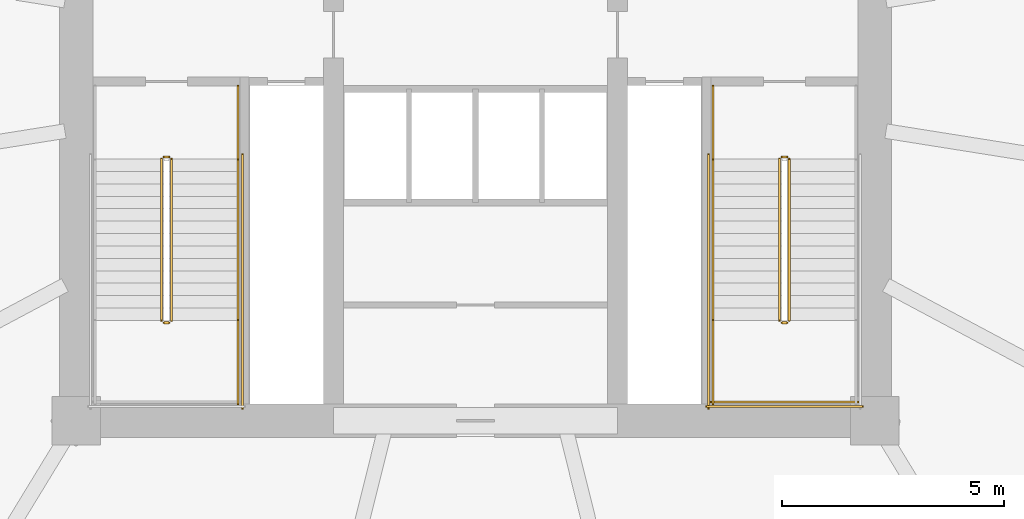
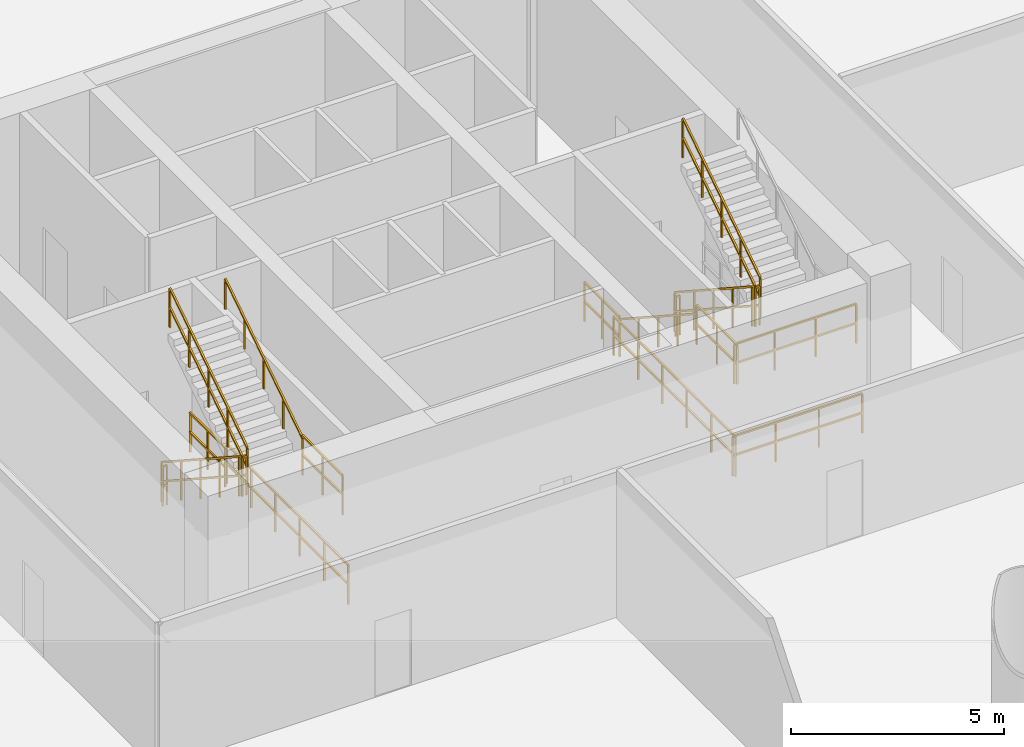
# One storey, part 29 of 31: 18 railings.
"""IFC4 building model written with IfcOpenShell, lengths in metres."""

from ifc_helpers import new_model, si_unit, direction, frame, origin, origin_2d, place, context, subcontext, project, spatial, rectangle, extrude, material, type_object, element, save


model = new_model("IFC4")

# Units and contexts
model_context = context("Model", 3, precision=1e-05, world=origin(), true_north=direction((-0.2419218956, 0.970295726276)))
body_context = subcontext(model_context, "Body", "Model", "MODEL_VIEW")
ifc_project = project(units=[si_unit("LENGTHUNIT", "METRE"), si_unit("AREAUNIT", "SQUARE_METRE"), si_unit("VOLUMEUNIT", "CUBIC_METRE"), si_unit("PLANEANGLEUNIT", "RADIAN"), si_unit("MASSUNIT", "GRAM", prefix="KILO")], contexts=[model_context])

# Site, building, storey
site_placement = place(None, origin())
site = spatial("IfcSite", under=ifc_project, at=site_placement, CompositionType="ELEMENT")
building_placement = place(site_placement, origin())
building = spatial("IfcBuilding", under=site, at=building_placement, Name="Cobrevalo Terracotta Tower", CompositionType="ELEMENT")
storey_placement = place(building_placement, frame((0.0, 0.0, 18.89990234375)))
storey = spatial("IfcBuildingStorey", under=building, at=storey_placement, Name="L04", CompositionType="ELEMENT", Elevation=18.89990234375)

# Railings
ifc_material_1 = material(Name="Brushed stainless steel", Category="steel")
railing_type_1 = type_object("IfcRailingType", Name="Stainless Steel Stair Handrail 900", PredefinedType="HANDRAIL", material=ifc_material_1)
railing_1_placement = place(storey_placement, frame((32.64501953125, 21.06005859375, 2.732177734375)))
element("IfcRailing", 1, at=railing_1_placement, inside=storey, type_object=railing_type_1, Name="L04 ST-1 stair handrail 2", PredefinedType="HANDRAIL", context=body_context, shape_type="SweptSolid", body=[
    extrude(rectangle(XDim=0.048095703125, YDim=0.048095703125, at=origin_2d()), frame((0.0, 0.0, 0.8759765625), z_axis=(0.0, 0.838234174257, 0.545310433706), x_axis=(-1.0, 0.0, 0.0)), (0.0, 0.0, 1.0), 4.34228515625),
    extrude(rectangle(XDim=0.0419921875, YDim=0.0419921875, at=origin_2d()), origin(), (0.0, 0.0, 1.0), 0.851806640625),
    extrude(rectangle(XDim=0.0419921875, YDim=0.0419921875, at=origin_2d()), frame((0.0, 0.909912109375, 0.592041015625)), (0.0, 0.0, 1.0), 0.851806640625),
    extrude(rectangle(XDim=0.0419921875, YDim=0.0419921875, at=origin_2d()), frame((0.0, 1.81982421875, 1.18408203125)), (0.0, 0.0, 1.0), 0.851806640625),
    extrude(rectangle(XDim=0.0419921875, YDim=0.0419921875, at=origin_2d()), frame((0.0, 2.72998046875, 1.77587890625)), (0.0, 0.0, 1.0), 0.851806640625),
    extrude(rectangle(XDim=0.0419921875, YDim=0.0419921875, at=origin_2d()), frame((0.0, 3.639892578125, 2.367919921875)), (0.0, 0.0, 1.0), 0.851806640625),
])
railing_2_placement = place(storey_placement, frame((43.35498046875, 24.699951171875, 0.18212890625)))
element("IfcRailing", 2, at=railing_2_placement, inside=storey, type_object=railing_type_1, Name="L04 ST-2 stair handrail 1", PredefinedType="HANDRAIL", context=body_context, shape_type="SweptSolid", body=[
    extrude(rectangle(XDim=0.048095703125, YDim=0.048095703125, at=origin_2d()), frame((0.0, 0.0, 0.8759765625), z_axis=(0.0, -0.838234174257, 0.545310433706), x_axis=(1.0, 0.0, 0.0)), (0.0, 0.0, 1.0), 4.34228515625),
    extrude(rectangle(XDim=0.0419921875, YDim=0.0419921875, at=origin_2d()), origin(), (0.0, 0.0, 1.0), 0.851806640625),
    extrude(rectangle(XDim=0.0419921875, YDim=0.0419921875, at=origin_2d()), frame((0.0, -0.909912109375, 0.592041015625)), (0.0, 0.0, 1.0), 0.851806640625),
    extrude(rectangle(XDim=0.0419921875, YDim=0.0419921875, at=origin_2d()), frame((0.0, -1.81982421875, 1.18408203125)), (0.0, 0.0, 1.0), 0.851806640625),
    extrude(rectangle(XDim=0.0419921875, YDim=0.0419921875, at=origin_2d()), frame((0.0, -2.72998046875, 1.77587890625)), (0.0, 0.0, 1.0), 0.851806640625),
    extrude(rectangle(XDim=0.0419921875, YDim=0.0419921875, at=origin_2d()), frame((0.0, -3.639892578125, 2.367919921875)), (0.0, 0.0, 1.0), 0.851806640625),
])
ifc_material_2 = material(Name="Painted galvanized steel", Category="steel")
railing_type_2 = type_object("IfcRailingType", Name="Stair Well Guard Balustrade 1150", PredefinedType="GUARDRAIL", material=ifc_material_2)
railing_3_placement = place(storey_placement, frame((30.925048828125, 24.699951171875, 0.18212890625)))
element("IfcRailing", 3, at=railing_3_placement, inside=storey, type_object=railing_type_2, Name="L04 ST-1 stair guard 1", PredefinedType="GUARDRAIL", context=body_context, shape_type="SweptSolid", body=[
    extrude(rectangle(XDim=0.048095703125, YDim=0.048095703125, at=origin_2d()), frame((0.0, 0.0, 1.1259765625), z_axis=(0.0, -0.838234174257, 0.545310433706), x_axis=(1.0, 0.0, 0.0)), (0.0, 0.0, 1.0), 4.34228515625),
    extrude(rectangle(XDim=0.048095703125, YDim=0.048095703125, at=origin_2d()), frame((0.0, 0.0, 0.574951171875), z_axis=(0.0, -0.838234174257, 0.545310433706), x_axis=(1.0, 0.0, 0.0)), (0.0, 0.0, 1.0), 4.34228515625),
    extrude(rectangle(XDim=0.0419921875, YDim=0.0419921875, at=origin_2d()), origin(), (0.0, 0.0, 1.0), 1.101806640625),
    extrude(rectangle(XDim=0.0419921875, YDim=0.0419921875, at=origin_2d()), frame((0.0, -0.909912109375, 0.592041015625)), (0.0, 0.0, 1.0), 1.101806640625),
    extrude(rectangle(XDim=0.0419921875, YDim=0.0419921875, at=origin_2d()), frame((0.0, -1.81982421875, 1.18408203125)), (0.0, 0.0, 1.0), 1.101806640625),
    extrude(rectangle(XDim=0.0419921875, YDim=0.0419921875, at=origin_2d()), frame((0.0, -2.72998046875, 1.77587890625)), (0.0, 0.0, 1.0), 1.101806640625),
    extrude(rectangle(XDim=0.0419921875, YDim=0.0419921875, at=origin_2d()), frame((0.0, -3.639892578125, 2.367919921875)), (0.0, 0.0, 1.0), 1.101806640625),
])
railing_4_placement = place(storey_placement, frame((30.97509765625, 21.010009765625, 2.550048828125)))
element("IfcRailing", 4, at=railing_4_placement, inside=storey, type_object=railing_type_2, Name="L04 ST-1 stair guard 2", PredefinedType="GUARDRAIL", context=body_context, shape_type="SweptSolid", body=[
    extrude(rectangle(XDim=0.048095703125, YDim=0.048095703125, at=origin_2d()), frame((0.0, 0.0, 1.1259765625), z_axis=(1.0, 0.0, 0.0), x_axis=(0.0, 1.0, 0.0)), (0.0, 0.0, 1.0), 0.119873046875),
    extrude(rectangle(XDim=0.048095703125, YDim=0.048095703125, at=origin_2d()), frame((0.0, 0.0, 0.574951171875), z_axis=(1.0, 0.0, 0.0), x_axis=(0.0, 1.0, 0.0)), (0.0, 0.0, 1.0), 0.119873046875),
    extrude(rectangle(XDim=0.0419921875, YDim=0.0419921875, at=origin_2d()), origin(), (0.0, 0.0, 1.0), 1.101806640625),
    extrude(rectangle(XDim=0.0419921875, YDim=0.0419921875, at=origin_2d()), frame((0.119873046875, 0.0, 0.0)), (0.0, 0.0, 1.0), 1.101806640625),
])
railing_5_placement = place(storey_placement, frame((32.64501953125, 21.06005859375, 2.550048828125)))
element("IfcRailing", 5, at=railing_5_placement, inside=storey, type_object=railing_type_2, Name="L04 ST-1 stair guard 4", PredefinedType="GUARDRAIL", context=body_context, shape_type="SweptSolid", body=[
    extrude(rectangle(XDim=0.048095703125, YDim=0.048095703125, at=origin_2d()), frame((0.0, 0.0, 1.1259765625), z_axis=(0.0, -1.0, 0.0), x_axis=(1.0, 0.0, 0.0)), (0.0, 0.0, 1.0), 1.885009765625),
    extrude(rectangle(XDim=0.048095703125, YDim=0.048095703125, at=origin_2d()), frame((0.0, 0.0, 0.574951171875), z_axis=(0.0, -1.0, 0.0), x_axis=(1.0, 0.0, 0.0)), (0.0, 0.0, 1.0), 1.885009765625),
    extrude(rectangle(XDim=0.0419921875, YDim=0.0419921875, at=origin_2d()), origin(), (0.0, 0.0, 1.0), 1.101806640625),
    extrude(rectangle(XDim=0.0419921875, YDim=0.0419921875, at=origin_2d()), frame((0.0, -0.9423828125, 0.0)), (0.0, 0.0, 1.0), 1.101806640625),
    extrude(rectangle(XDim=0.0419921875, YDim=0.0419921875, at=origin_2d()), frame((0.0, -1.885009765625, 0.0)), (0.0, 0.0, 1.0), 1.101806640625),
])
railing_6_placement = place(storey_placement, frame((31.14501953125, 21.06005859375, 2.732177734375)))
element("IfcRailing", 6, at=railing_6_placement, inside=storey, type_object=railing_type_2, Name="L04 ST-1 stair guard 6", PredefinedType="GUARDRAIL", context=body_context, shape_type="SweptSolid", body=[
    extrude(rectangle(XDim=0.048095703125, YDim=0.048095703125, at=origin_2d()), frame((0.0, 0.0, 1.1259765625), z_axis=(0.0, 0.838234174257, 0.545310433706), x_axis=(-1.0, 0.0, 0.0)), (0.0, 0.0, 1.0), 4.34228515625),
    extrude(rectangle(XDim=0.048095703125, YDim=0.048095703125, at=origin_2d()), frame((0.0, 0.0, 0.574951171875), z_axis=(0.0, 0.838234174257, 0.545310433706), x_axis=(-1.0, 0.0, 0.0)), (0.0, 0.0, 1.0), 4.34228515625),
    extrude(rectangle(XDim=0.0419921875, YDim=0.0419921875, at=origin_2d()), origin(), (0.0, 0.0, 1.0), 1.101806640625),
    extrude(rectangle(XDim=0.0419921875, YDim=0.0419921875, at=origin_2d()), frame((0.0, 0.909912109375, 0.592041015625)), (0.0, 0.0, 1.0), 1.101806640625),
    extrude(rectangle(XDim=0.0419921875, YDim=0.0419921875, at=origin_2d()), frame((0.0, 1.81982421875, 1.18408203125)), (0.0, 0.0, 1.0), 1.101806640625),
    extrude(rectangle(XDim=0.0419921875, YDim=0.0419921875, at=origin_2d()), frame((0.0, 2.72998046875, 1.77587890625)), (0.0, 0.0, 1.0), 1.101806640625),
    extrude(rectangle(XDim=0.0419921875, YDim=0.0419921875, at=origin_2d()), frame((0.0, 3.639892578125, 2.367919921875)), (0.0, 0.0, 1.0), 1.101806640625),
])
railing_7_placement = place(storey_placement, frame((30.97509765625, 24.75, 0.0)))
element("IfcRailing", 7, at=railing_7_placement, inside=storey, type_object=railing_type_2, Name="L04 ST-1 stair guard 7", PredefinedType="GUARDRAIL", context=body_context, shape_type="SweptSolid", body=[
    extrude(rectangle(XDim=0.048095703125, YDim=0.048095703125, at=origin_2d()), frame((0.0, 0.0, 1.1259765625), z_axis=(1.0, 0.0, 0.0), x_axis=(0.0, 1.0, 0.0)), (0.0, 0.0, 1.0), 0.119873046875),
    extrude(rectangle(XDim=0.048095703125, YDim=0.048095703125, at=origin_2d()), frame((0.0, 0.0, 0.574951171875), z_axis=(1.0, 0.0, 0.0), x_axis=(0.0, 1.0, 0.0)), (0.0, 0.0, 1.0), 0.119873046875),
    extrude(rectangle(XDim=0.0419921875, YDim=0.0419921875, at=origin_2d()), origin(), (0.0, 0.0, 1.0), 1.101806640625),
    extrude(rectangle(XDim=0.0419921875, YDim=0.0419921875, at=origin_2d()), frame((0.119873046875, 0.0, 0.0)), (0.0, 0.0, 1.0), 1.101806640625),
])
railing_8_placement = place(storey_placement, frame((32.64501953125, 26.35009765625, 0.0)))
element("IfcRailing", 8, at=railing_8_placement, inside=storey, type_object=railing_type_2, Name="L04 ST-1 stair guard 9", PredefinedType="GUARDRAIL", context=body_context, shape_type="SweptSolid", body=[
    extrude(rectangle(XDim=0.048095703125, YDim=0.048095703125, at=origin_2d()), frame((0.0, 0.0, 1.1259765625), z_axis=(0.0, -1.0, 0.0), x_axis=(1.0, 0.0, 0.0)), (0.0, 0.0, 1.0), 1.650146484375),
    extrude(rectangle(XDim=0.048095703125, YDim=0.048095703125, at=origin_2d()), frame((0.0, 0.0, 0.574951171875), z_axis=(0.0, -1.0, 0.0), x_axis=(1.0, 0.0, 0.0)), (0.0, 0.0, 1.0), 1.650146484375),
    extrude(rectangle(XDim=0.0419921875, YDim=0.0419921875, at=origin_2d()), origin(), (0.0, 0.0, 1.0), 1.101806640625),
    extrude(rectangle(XDim=0.0419921875, YDim=0.0419921875, at=origin_2d()), frame((0.0, -0.8251953125, 0.0)), (0.0, 0.0, 1.0), 1.101806640625),
    extrude(rectangle(XDim=0.0419921875, YDim=0.0419921875, at=origin_2d()), frame((0.0, -1.650146484375, 0.0)), (0.0, 0.0, 1.0), 1.101806640625),
])
railing_9_placement = place(storey_placement, frame((32.7451171875, 24.800048828125, 0.0)))
element("IfcRailing", 9, at=railing_9_placement, inside=storey, type_object=railing_type_2, Name="L04 ST-1 stair guard 11", PredefinedType="GUARDRAIL", context=body_context, shape_type="SweptSolid", body=[
    extrude(rectangle(XDim=0.048095703125, YDim=0.048095703125, at=origin_2d()), frame((0.0, 0.0, 1.1259765625), z_axis=(0.0, -1.0, 0.0), x_axis=(1.0, 0.0, 0.0)), (0.0, 0.0, 1.0), 5.72509765625),
    extrude(rectangle(XDim=0.048095703125, YDim=0.048095703125, at=origin_2d()), frame((0.0, 0.0, 0.574951171875), z_axis=(0.0, -1.0, 0.0), x_axis=(1.0, 0.0, 0.0)), (0.0, 0.0, 1.0), 5.72509765625),
    extrude(rectangle(XDim=0.0419921875, YDim=0.0419921875, at=origin_2d()), origin(), (0.0, 0.0, 1.0), 1.101806640625),
    extrude(rectangle(XDim=0.0419921875, YDim=0.0419921875, at=origin_2d()), frame((0.0, -1.14501953125, 0.0)), (0.0, 0.0, 1.0), 1.101806640625),
    extrude(rectangle(XDim=0.0419921875, YDim=0.0419921875, at=origin_2d()), frame((0.0, -2.2900390625, 0.0)), (0.0, 0.0, 1.0), 1.101806640625),
    extrude(rectangle(XDim=0.0419921875, YDim=0.0419921875, at=origin_2d()), frame((0.0, -3.43505859375, 0.0)), (0.0, 0.0, 1.0), 1.101806640625),
    extrude(rectangle(XDim=0.0419921875, YDim=0.0419921875, at=origin_2d()), frame((0.0, -4.580078125, 0.0)), (0.0, 0.0, 1.0), 1.101806640625),
    extrude(rectangle(XDim=0.0419921875, YDim=0.0419921875, at=origin_2d()), frame((0.0, -5.72509765625, 0.0)), (0.0, 0.0, 1.0), 1.101806640625),
])
railing_10_placement = place(storey_placement, frame((44.85498046875, 24.699951171875, 0.18212890625)))
element("IfcRailing", 10, at=railing_10_placement, inside=storey, type_object=railing_type_2, Name="L04 ST-2 stair guard 1", PredefinedType="GUARDRAIL", context=body_context, shape_type="SweptSolid", body=[
    extrude(rectangle(XDim=0.048095703125, YDim=0.048095703125, at=origin_2d()), frame((0.0, 0.0, 1.1259765625), z_axis=(0.0, -0.838234174257, 0.545310433706), x_axis=(1.0, 0.0, 0.0)), (0.0, 0.0, 1.0), 4.34228515625),
    extrude(rectangle(XDim=0.048095703125, YDim=0.048095703125, at=origin_2d()), frame((0.0, 0.0, 0.574951171875), z_axis=(0.0, -0.838234174257, 0.545310433706), x_axis=(1.0, 0.0, 0.0)), (0.0, 0.0, 1.0), 4.34228515625),
    extrude(rectangle(XDim=0.0419921875, YDim=0.0419921875, at=origin_2d()), origin(), (0.0, 0.0, 1.0), 1.101806640625),
    extrude(rectangle(XDim=0.0419921875, YDim=0.0419921875, at=origin_2d()), frame((0.0, -0.909912109375, 0.592041015625)), (0.0, 0.0, 1.0), 1.101806640625),
    extrude(rectangle(XDim=0.0419921875, YDim=0.0419921875, at=origin_2d()), frame((0.0, -1.81982421875, 1.18408203125)), (0.0, 0.0, 1.0), 1.101806640625),
    extrude(rectangle(XDim=0.0419921875, YDim=0.0419921875, at=origin_2d()), frame((0.0, -2.72998046875, 1.77587890625)), (0.0, 0.0, 1.0), 1.101806640625),
    extrude(rectangle(XDim=0.0419921875, YDim=0.0419921875, at=origin_2d()), frame((0.0, -3.639892578125, 2.367919921875)), (0.0, 0.0, 1.0), 1.101806640625),
])
railing_11_placement = place(storey_placement, frame((44.905029296875, 21.010009765625, 2.550048828125)))
element("IfcRailing", 11, at=railing_11_placement, inside=storey, type_object=railing_type_2, Name="L04 ST-2 stair guard 2", PredefinedType="GUARDRAIL", context=body_context, shape_type="SweptSolid", body=[
    extrude(rectangle(XDim=0.048095703125, YDim=0.048095703125, at=origin_2d()), frame((0.0, 0.0, 1.1259765625), z_axis=(1.0, 0.0, 0.0), x_axis=(0.0, 1.0, 0.0)), (0.0, 0.0, 1.0), 0.119873046875),
    extrude(rectangle(XDim=0.048095703125, YDim=0.048095703125, at=origin_2d()), frame((0.0, 0.0, 0.574951171875), z_axis=(1.0, 0.0, 0.0), x_axis=(0.0, 1.0, 0.0)), (0.0, 0.0, 1.0), 0.119873046875),
    extrude(rectangle(XDim=0.0419921875, YDim=0.0419921875, at=origin_2d()), origin(), (0.0, 0.0, 1.0), 1.101806640625),
    extrude(rectangle(XDim=0.0419921875, YDim=0.0419921875, at=origin_2d()), frame((0.119873046875, 0.0, 0.0)), (0.0, 0.0, 1.0), 1.101806640625),
])
railing_12_placement = place(storey_placement, frame((43.35498046875, 21.06005859375, 2.550048828125)))
element("IfcRailing", 12, at=railing_12_placement, inside=storey, type_object=railing_type_2, Name="L04 ST-2 stair guard 3", PredefinedType="GUARDRAIL", context=body_context, shape_type="SweptSolid", body=[
    extrude(rectangle(XDim=0.048095703125, YDim=0.048095703125, at=origin_2d()), frame((0.0, 0.0, 1.1259765625), z_axis=(0.0, -1.0, 0.0), x_axis=(1.0, 0.0, 0.0)), (0.0, 0.0, 1.0), 1.885009765625),
    extrude(rectangle(XDim=0.048095703125, YDim=0.048095703125, at=origin_2d()), frame((0.0, 0.0, 0.574951171875), z_axis=(0.0, -1.0, 0.0), x_axis=(1.0, 0.0, 0.0)), (0.0, 0.0, 1.0), 1.885009765625),
    extrude(rectangle(XDim=0.0419921875, YDim=0.0419921875, at=origin_2d()), origin(), (0.0, 0.0, 1.0), 1.101806640625),
    extrude(rectangle(XDim=0.0419921875, YDim=0.0419921875, at=origin_2d()), frame((0.0, -0.9423828125, 0.0)), (0.0, 0.0, 1.0), 1.101806640625),
    extrude(rectangle(XDim=0.0419921875, YDim=0.0419921875, at=origin_2d()), frame((0.0, -1.885009765625, 0.0)), (0.0, 0.0, 1.0), 1.101806640625),
])
railing_13_placement = place(storey_placement, frame((43.304931640625, 19.22509765625, 2.550048828125)))
element("IfcRailing", 13, at=railing_13_placement, inside=storey, type_object=railing_type_2, Name="L04 ST-2 stair guard 5", PredefinedType="GUARDRAIL", context=body_context, shape_type="SweptSolid", body=[
    extrude(rectangle(XDim=0.048095703125, YDim=0.048095703125, at=origin_2d()), frame((0.0, 0.0, 1.1259765625), z_axis=(1.0, 0.0, 0.0), x_axis=(0.0, 1.0, 0.0)), (0.0, 0.0, 1.0), 3.320068359375),
    extrude(rectangle(XDim=0.048095703125, YDim=0.048095703125, at=origin_2d()), frame((0.0, 0.0, 0.574951171875), z_axis=(1.0, 0.0, 0.0), x_axis=(0.0, 1.0, 0.0)), (0.0, 0.0, 1.0), 3.320068359375),
    extrude(rectangle(XDim=0.0419921875, YDim=0.0419921875, at=origin_2d()), origin(), (0.0, 0.0, 1.0), 1.101806640625),
    extrude(rectangle(XDim=0.0419921875, YDim=0.0419921875, at=origin_2d()), frame((1.106689453125, 0.0, 0.0)), (0.0, 0.0, 1.0), 1.101806640625),
    extrude(rectangle(XDim=0.0419921875, YDim=0.0419921875, at=origin_2d()), frame((2.21337890625, 0.0, 0.0)), (0.0, 0.0, 1.0), 1.101806640625),
    extrude(rectangle(XDim=0.0419921875, YDim=0.0419921875, at=origin_2d()), frame((3.320068359375, 0.0, 0.0)), (0.0, 0.0, 1.0), 1.101806640625),
])
railing_14_placement = place(storey_placement, frame((45.074951171875, 21.06005859375, 2.732177734375)))
element("IfcRailing", 14, at=railing_14_placement, inside=storey, type_object=railing_type_2, Name="L04 ST-2 stair guard 6", PredefinedType="GUARDRAIL", context=body_context, shape_type="SweptSolid", body=[
    extrude(rectangle(XDim=0.048095703125, YDim=0.048095703125, at=origin_2d()), frame((0.0, 0.0, 1.1259765625), z_axis=(0.0, 0.838234174257, 0.545310433706), x_axis=(-1.0, 0.0, 0.0)), (0.0, 0.0, 1.0), 4.34228515625),
    extrude(rectangle(XDim=0.048095703125, YDim=0.048095703125, at=origin_2d()), frame((0.0, 0.0, 0.574951171875), z_axis=(0.0, 0.838234174257, 0.545310433706), x_axis=(-1.0, 0.0, 0.0)), (0.0, 0.0, 1.0), 4.34228515625),
    extrude(rectangle(XDim=0.0419921875, YDim=0.0419921875, at=origin_2d()), origin(), (0.0, 0.0, 1.0), 1.101806640625),
    extrude(rectangle(XDim=0.0419921875, YDim=0.0419921875, at=origin_2d()), frame((0.0, 0.909912109375, 0.592041015625)), (0.0, 0.0, 1.0), 1.101806640625),
    extrude(rectangle(XDim=0.0419921875, YDim=0.0419921875, at=origin_2d()), frame((0.0, 1.81982421875, 1.18408203125)), (0.0, 0.0, 1.0), 1.101806640625),
    extrude(rectangle(XDim=0.0419921875, YDim=0.0419921875, at=origin_2d()), frame((0.0, 2.72998046875, 1.77587890625)), (0.0, 0.0, 1.0), 1.101806640625),
    extrude(rectangle(XDim=0.0419921875, YDim=0.0419921875, at=origin_2d()), frame((0.0, 3.639892578125, 2.367919921875)), (0.0, 0.0, 1.0), 1.101806640625),
])
railing_15_placement = place(storey_placement, frame((44.905029296875, 24.75, 0.0)))
element("IfcRailing", 15, at=railing_15_placement, inside=storey, type_object=railing_type_2, Name="L04 ST-2 stair guard 7", PredefinedType="GUARDRAIL", context=body_context, shape_type="SweptSolid", body=[
    extrude(rectangle(XDim=0.048095703125, YDim=0.048095703125, at=origin_2d()), frame((0.0, 0.0, 1.1259765625), z_axis=(1.0, 0.0, 0.0), x_axis=(0.0, 1.0, 0.0)), (0.0, 0.0, 1.0), 0.119873046875),
    extrude(rectangle(XDim=0.048095703125, YDim=0.048095703125, at=origin_2d()), frame((0.0, 0.0, 0.574951171875), z_axis=(1.0, 0.0, 0.0), x_axis=(0.0, 1.0, 0.0)), (0.0, 0.0, 1.0), 0.119873046875),
    extrude(rectangle(XDim=0.0419921875, YDim=0.0419921875, at=origin_2d()), origin(), (0.0, 0.0, 1.0), 1.101806640625),
    extrude(rectangle(XDim=0.0419921875, YDim=0.0419921875, at=origin_2d()), frame((0.119873046875, 0.0, 0.0)), (0.0, 0.0, 1.0), 1.101806640625),
])
railing_16_placement = place(storey_placement, frame((43.35498046875, 26.35009765625, 0.0)))
element("IfcRailing", 16, at=railing_16_placement, inside=storey, type_object=railing_type_2, Name="L04 ST-2 stair guard 8", PredefinedType="GUARDRAIL", context=body_context, shape_type="SweptSolid", body=[
    extrude(rectangle(XDim=0.048095703125, YDim=0.048095703125, at=origin_2d()), frame((0.0, 0.0, 1.1259765625), z_axis=(0.0, -1.0, 0.0), x_axis=(1.0, 0.0, 0.0)), (0.0, 0.0, 1.0), 1.650146484375),
    extrude(rectangle(XDim=0.048095703125, YDim=0.048095703125, at=origin_2d()), frame((0.0, 0.0, 0.574951171875), z_axis=(0.0, -1.0, 0.0), x_axis=(1.0, 0.0, 0.0)), (0.0, 0.0, 1.0), 1.650146484375),
    extrude(rectangle(XDim=0.0419921875, YDim=0.0419921875, at=origin_2d()), origin(), (0.0, 0.0, 1.0), 1.101806640625),
    extrude(rectangle(XDim=0.0419921875, YDim=0.0419921875, at=origin_2d()), frame((0.0, -0.8251953125, 0.0)), (0.0, 0.0, 1.0), 1.101806640625),
    extrude(rectangle(XDim=0.0419921875, YDim=0.0419921875, at=origin_2d()), frame((0.0, -1.650146484375, 0.0)), (0.0, 0.0, 1.0), 1.101806640625),
])
railing_17_placement = place(storey_placement, frame((43.2548828125, 24.800048828125, 0.0)))
element("IfcRailing", 17, at=railing_17_placement, inside=storey, type_object=railing_type_2, Name="L04 ST-2 stair guard 10", PredefinedType="GUARDRAIL", context=body_context, shape_type="SweptSolid", body=[
    extrude(rectangle(XDim=0.048095703125, YDim=0.048095703125, at=origin_2d()), frame((0.0, 0.0, 1.1259765625), z_axis=(0.0, -1.0, 0.0), x_axis=(1.0, 0.0, 0.0)), (0.0, 0.0, 1.0), 5.72509765625),
    extrude(rectangle(XDim=0.048095703125, YDim=0.048095703125, at=origin_2d()), frame((0.0, 0.0, 0.574951171875), z_axis=(0.0, -1.0, 0.0), x_axis=(1.0, 0.0, 0.0)), (0.0, 0.0, 1.0), 5.72509765625),
    extrude(rectangle(XDim=0.0419921875, YDim=0.0419921875, at=origin_2d()), origin(), (0.0, 0.0, 1.0), 1.101806640625),
    extrude(rectangle(XDim=0.0419921875, YDim=0.0419921875, at=origin_2d()), frame((0.0, -1.14501953125, 0.0)), (0.0, 0.0, 1.0), 1.101806640625),
    extrude(rectangle(XDim=0.0419921875, YDim=0.0419921875, at=origin_2d()), frame((0.0, -2.2900390625, 0.0)), (0.0, 0.0, 1.0), 1.101806640625),
    extrude(rectangle(XDim=0.0419921875, YDim=0.0419921875, at=origin_2d()), frame((0.0, -3.43505859375, 0.0)), (0.0, 0.0, 1.0), 1.101806640625),
    extrude(rectangle(XDim=0.0419921875, YDim=0.0419921875, at=origin_2d()), frame((0.0, -4.580078125, 0.0)), (0.0, 0.0, 1.0), 1.101806640625),
    extrude(rectangle(XDim=0.0419921875, YDim=0.0419921875, at=origin_2d()), frame((0.0, -5.72509765625, 0.0)), (0.0, 0.0, 1.0), 1.101806640625),
])
railing_18_placement = place(storey_placement, frame((43.205078125, 19.125, 0.0)))
element("IfcRailing", 18, at=railing_18_placement, inside=storey, type_object=railing_type_2, Name="L04 ST-2 stair guard 12", PredefinedType="GUARDRAIL", context=body_context, shape_type="SweptSolid", body=[
    extrude(rectangle(XDim=0.048095703125, YDim=0.048095703125, at=origin_2d()), frame((0.0, 0.0, 1.1259765625), z_axis=(1.0, 0.0, 0.0), x_axis=(0.0, 1.0, 0.0)), (0.0, 0.0, 1.0), 3.52001953125),
    extrude(rectangle(XDim=0.048095703125, YDim=0.048095703125, at=origin_2d()), frame((0.0, 0.0, 0.574951171875), z_axis=(1.0, 0.0, 0.0), x_axis=(0.0, 1.0, 0.0)), (0.0, 0.0, 1.0), 3.52001953125),
    extrude(rectangle(XDim=0.0419921875, YDim=0.0419921875, at=origin_2d()), origin(), (0.0, 0.0, 1.0), 1.101806640625),
    extrude(rectangle(XDim=0.0419921875, YDim=0.0419921875, at=origin_2d()), frame((1.17333984375, 0.0, 0.0)), (0.0, 0.0, 1.0), 1.101806640625),
    extrude(rectangle(XDim=0.0419921875, YDim=0.0419921875, at=origin_2d()), frame((2.3466796875, 0.0, 0.0)), (0.0, 0.0, 1.0), 1.101806640625),
    extrude(rectangle(XDim=0.0419921875, YDim=0.0419921875, at=origin_2d()), frame((3.52001953125, 0.0, 0.0)), (0.0, 0.0, 1.0), 1.101806640625),
])

save(model, "model.ifc")
